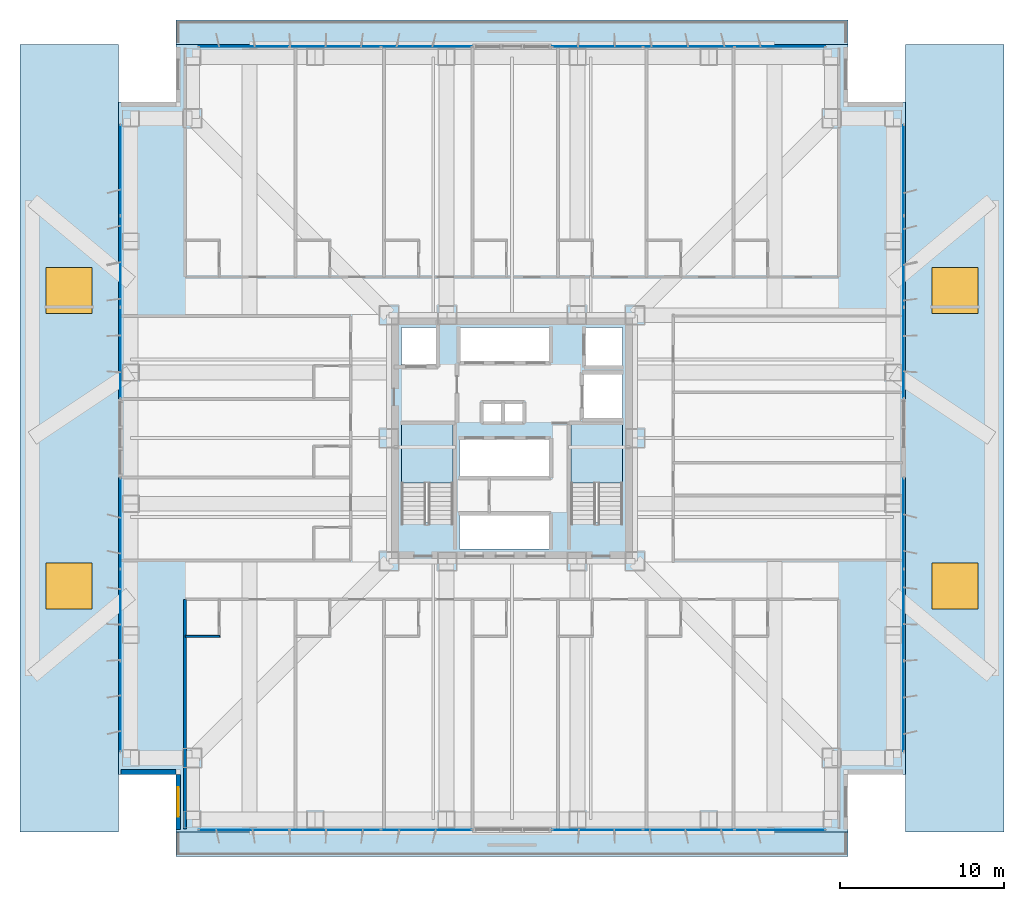
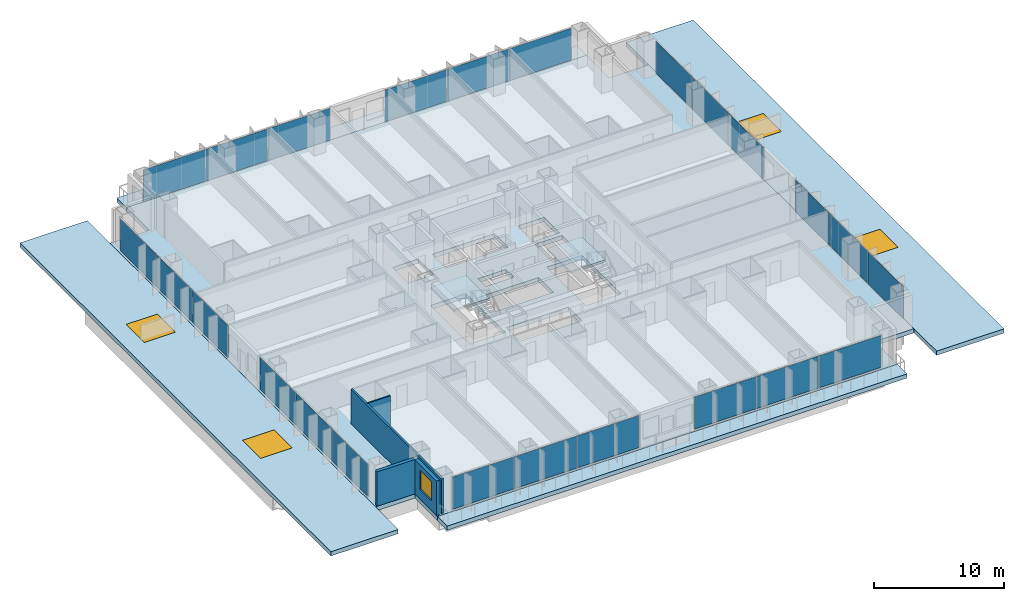
# One storey, part 14 of 24: 24 plates, 7 slabs, 5 windows, 4 walls, 5 openings, 10 elements without a shape of their own.
"""IFC4 building model written with IfcOpenShell, lengths in metres."""

from ifc_helpers import new_model, si_unit, direction, frame, frame_2d, origin, origin_2d, place, context, subcontext, project, spatial, polyline, rectangle, outline, extrude, material, layer, layer_set, type_object, element, fill, aggregate, save


model = new_model("IFC4")

# Units and contexts
model_context = context("Model", 3, precision=1e-05, world=origin(), true_north=direction((0.0, 1.0)))
body_context = subcontext(model_context, "Body", "Model", "MODEL_VIEW")
ifc_project = project(units=[si_unit("LENGTHUNIT", "METRE"), si_unit("AREAUNIT", "SQUARE_METRE"), si_unit("VOLUMEUNIT", "CUBIC_METRE"), si_unit("PLANEANGLEUNIT", "RADIAN"), si_unit("MASSUNIT", "GRAM", prefix="KILO")], contexts=[model_context])

# Site, building, storey
site_placement = place(None, origin())
site = spatial("IfcSite", under=ifc_project, at=site_placement, CompositionType="ELEMENT")
building_placement = place(site_placement, origin())
building = spatial("IfcBuilding", under=site, at=building_placement, Name="Trevonay Congress Spire", CompositionType="ELEMENT")
storey_placement = place(building_placement, frame((0.0, 0.0, 27.0)))
storey = spatial("IfcBuildingStorey", under=building, at=storey_placement, Name="L05", CompositionType="ELEMENT", Elevation=27.0)

# Curtain wall, plates
ifc_material_1 = material(Name="Pale Anodised Aluminium EN AW-6063-T6", Category="aluminium")
ifc_layer_1 = layer(ifc_material_1, 0.179931640625, Name="Pale Anodised Aluminium EN AW-6063-T6")
ifc_layer_set_1 = layer_set([ifc_layer_1], Name="Pale Anodised Aluminium EN AW-6063-T6")
curtain_wall_type = type_object("IfcCurtainWallType", Name="CW-SYS02-HOTEL-PALE-METAL", PredefinedType="NOTDEFINED", material=ifc_layer_set_1)
curtain_wall_1_placement = place(storey_placement, origin())
curtain_wall_1 = element("IfcCurtainWall", 1, at=curtain_wall_1_placement, inside=storey, type_object=curtain_wall_type, Name="L05 SA unitised curtain wall", PredefinedType="NOTDEFINED")
ifc_material_2 = material(Name="Insulated Low-E Vision Glass IGU", Category="glass")
ifc_layer_2 = layer(ifc_material_2, 0.035888671875, Name="Insulated Low-E Vision Glass IGU")
ifc_layer_set_2 = layer_set([ifc_layer_2], Name="Insulated Low-E Vision Glass IGU")
plate_type = type_object("IfcPlateType", Name="CW-PANEL-IGU36-SILVER", PredefinedType="CURTAIN_PANEL", material=ifc_layer_set_2)
plate_1_placement = place(storey_placement, frame((-16.34326171875, -23.8798828125, 0.1201171875), z_axis=(0.0, 0.0, 1.0), x_axis=(1.0, 0.0, 0.0)))
plate_1 = element("IfcPlate", 2, at=plate_1_placement, type_object=plate_type, Name="CW02 panel 1.1", PredefinedType="CURTAIN_PANEL", context=body_context, shape_type="SweptSolid", body=[
    extrude(rectangle(XDim=5.493408203125, YDim=0.035888671875, at=origin_2d()), origin(), (0.0, 0.0, 1.0), 3.010009765625),
])
plate_2_placement = place(storey_placement, frame((-10.77490234375, -23.8798828125, 0.1201171875), z_axis=(0.0, 0.0, 1.0), x_axis=(1.0, 0.0, 0.0)))
plate_2 = element("IfcPlate", 3, at=plate_2_placement, type_object=plate_type, Name="CW02 panel 2.1", PredefinedType="CURTAIN_PANEL", context=body_context, shape_type="SweptSolid", body=[
    extrude(rectangle(XDim=5.5234375, YDim=0.035888671875, at=origin_2d()), origin(), (0.0, 0.0, 1.0), 3.010009765625),
])
plate_3_placement = place(storey_placement, frame((-5.206787109375, -23.8798828125, 0.1201171875), z_axis=(0.0, 0.0, 1.0), x_axis=(1.0, 0.0, 0.0)))
plate_3 = element("IfcPlate", 4, at=plate_3_placement, type_object=plate_type, Name="CW02 panel 3.1", PredefinedType="CURTAIN_PANEL", context=body_context, shape_type="SweptSolid", body=[
    extrude(rectangle(XDim=5.493408203125, YDim=0.035888671875, at=origin_2d()), origin(), (0.0, 0.0, 1.0), 3.010009765625),
])
aggregate(curtain_wall_1, [plate_1, plate_2, plate_3])

curtain_wall_2_placement = place(storey_placement, origin())
curtain_wall_2 = element("IfcCurtainWall", 5, at=curtain_wall_2_placement, inside=storey, type_object=curtain_wall_type, Name="L05 SB unitised curtain wall", PredefinedType="NOTDEFINED")
plate_4_placement = place(storey_placement, frame((5.206787109375, -23.8798828125, 0.1201171875), z_axis=(0.0, 0.0, 1.0), x_axis=(1.0, 0.0, 0.0)))
plate_4 = element("IfcPlate", 6, at=plate_4_placement, type_object=plate_type, Name="CW02 panel 1.1", PredefinedType="CURTAIN_PANEL", context=body_context, shape_type="SweptSolid", body=[
    extrude(rectangle(XDim=5.493408203125, YDim=0.035888671875, at=origin_2d()), origin(), (0.0, 0.0, 1.0), 3.010009765625),
])
plate_5_placement = place(storey_placement, frame((10.77490234375, -23.8798828125, 0.1201171875), z_axis=(0.0, 0.0, 1.0), x_axis=(1.0, 0.0, 0.0)))
plate_5 = element("IfcPlate", 7, at=plate_5_placement, type_object=plate_type, Name="CW02 panel 2.1", PredefinedType="CURTAIN_PANEL", context=body_context, shape_type="SweptSolid", body=[
    extrude(rectangle(XDim=5.5234375, YDim=0.035888671875, at=origin_2d()), origin(), (0.0, 0.0, 1.0), 3.010009765625),
])
plate_6_placement = place(storey_placement, frame((16.34326171875, -23.8798828125, 0.1201171875), z_axis=(0.0, 0.0, 1.0), x_axis=(1.0, 0.0, 0.0)))
plate_6 = element("IfcPlate", 8, at=plate_6_placement, type_object=plate_type, Name="CW02 panel 3.1", PredefinedType="CURTAIN_PANEL", context=body_context, shape_type="SweptSolid", body=[
    extrude(rectangle(XDim=5.493408203125, YDim=0.035888671875, at=origin_2d()), origin(), (0.0, 0.0, 1.0), 3.010009765625),
])
aggregate(curtain_wall_2, [plate_4, plate_5, plate_6])

curtain_wall_3_placement = place(storey_placement, origin())
curtain_wall_3 = element("IfcCurtainWall", 9, at=curtain_wall_3_placement, inside=storey, type_object=curtain_wall_type, Name="L05 NA unitised curtain wall", PredefinedType="NOTDEFINED")
plate_7_placement = place(storey_placement, frame((-16.34326171875, 23.8798828125, 0.1201171875), z_axis=(0.0, 0.0, 1.0), x_axis=(1.0, 0.0, 0.0)))
plate_7 = element("IfcPlate", 10, at=plate_7_placement, type_object=plate_type, Name="CW02 panel 1.1", PredefinedType="CURTAIN_PANEL", context=body_context, shape_type="SweptSolid", body=[
    extrude(rectangle(XDim=5.493408203125, YDim=0.035888671875, at=origin_2d()), origin(), (0.0, 0.0, 1.0), 3.010009765625),
])
plate_8_placement = place(storey_placement, frame((-10.77490234375, 23.8798828125, 0.1201171875), z_axis=(0.0, 0.0, 1.0), x_axis=(1.0, 0.0, 0.0)))
plate_8 = element("IfcPlate", 11, at=plate_8_placement, type_object=plate_type, Name="CW02 panel 2.1", PredefinedType="CURTAIN_PANEL", context=body_context, shape_type="SweptSolid", body=[
    extrude(rectangle(XDim=5.5234375, YDim=0.035888671875, at=origin_2d()), origin(), (0.0, 0.0, 1.0), 3.010009765625),
])
plate_9_placement = place(storey_placement, frame((-5.206787109375, 23.8798828125, 0.1201171875), z_axis=(0.0, 0.0, 1.0), x_axis=(1.0, 0.0, 0.0)))
plate_9 = element("IfcPlate", 12, at=plate_9_placement, type_object=plate_type, Name="CW02 panel 3.1", PredefinedType="CURTAIN_PANEL", context=body_context, shape_type="SweptSolid", body=[
    extrude(rectangle(XDim=5.493408203125, YDim=0.035888671875, at=origin_2d()), origin(), (0.0, 0.0, 1.0), 3.010009765625),
])
aggregate(curtain_wall_3, [plate_7, plate_8, plate_9])

curtain_wall_4_placement = place(storey_placement, origin())
curtain_wall_4 = element("IfcCurtainWall", 13, at=curtain_wall_4_placement, inside=storey, type_object=curtain_wall_type, Name="L05 NB unitised curtain wall", PredefinedType="NOTDEFINED")
plate_10_placement = place(storey_placement, frame((5.206787109375, 23.8798828125, 0.1201171875), z_axis=(0.0, 0.0, 1.0), x_axis=(1.0, 0.0, 0.0)))
plate_10 = element("IfcPlate", 14, at=plate_10_placement, type_object=plate_type, Name="CW02 panel 1.1", PredefinedType="CURTAIN_PANEL", context=body_context, shape_type="SweptSolid", body=[
    extrude(rectangle(XDim=5.493408203125, YDim=0.035888671875, at=origin_2d()), origin(), (0.0, 0.0, 1.0), 3.010009765625),
])
plate_11_placement = place(storey_placement, frame((10.77490234375, 23.8798828125, 0.1201171875), z_axis=(0.0, 0.0, 1.0), x_axis=(1.0, 0.0, 0.0)))
plate_11 = element("IfcPlate", 15, at=plate_11_placement, type_object=plate_type, Name="CW02 panel 2.1", PredefinedType="CURTAIN_PANEL", context=body_context, shape_type="SweptSolid", body=[
    extrude(rectangle(XDim=5.5234375, YDim=0.035888671875, at=origin_2d()), origin(), (0.0, 0.0, 1.0), 3.010009765625),
])
plate_12_placement = place(storey_placement, frame((16.34326171875, 23.8798828125, 0.1201171875), z_axis=(0.0, 0.0, 1.0), x_axis=(1.0, 0.0, 0.0)))
plate_12 = element("IfcPlate", 16, at=plate_12_placement, type_object=plate_type, Name="CW02 panel 3.1", PredefinedType="CURTAIN_PANEL", context=body_context, shape_type="SweptSolid", body=[
    extrude(rectangle(XDim=5.493408203125, YDim=0.035888671875, at=origin_2d()), origin(), (0.0, 0.0, 1.0), 3.010009765625),
])
aggregate(curtain_wall_4, [plate_10, plate_11, plate_12])

curtain_wall_5_placement = place(storey_placement, origin())
curtain_wall_5 = element("IfcCurtainWall", 17, at=curtain_wall_5_placement, inside=storey, type_object=curtain_wall_type, Name="L05 WA unitised curtain wall", PredefinedType="NOTDEFINED")
plate_13_placement = place(storey_placement, frame((-23.8798828125, -16.34326171875, 0.1201171875), z_axis=(0.0, 0.0, 1.0), x_axis=(0.0, 1.0, 0.0)))
plate_13 = element("IfcPlate", 18, at=plate_13_placement, type_object=plate_type, Name="CW02 panel 1.1", PredefinedType="CURTAIN_PANEL", context=body_context, shape_type="SweptSolid", body=[
    extrude(rectangle(XDim=5.493408203125, YDim=0.035888671875, at=origin_2d()), origin(), (0.0, 0.0, 1.0), 3.010009765625),
])
plate_14_placement = place(storey_placement, frame((-23.8798828125, -10.77490234375, 0.1201171875), z_axis=(0.0, 0.0, 1.0), x_axis=(0.0, 1.0, 0.0)))
plate_14 = element("IfcPlate", 19, at=plate_14_placement, type_object=plate_type, Name="CW02 panel 2.1", PredefinedType="CURTAIN_PANEL", context=body_context, shape_type="SweptSolid", body=[
    extrude(rectangle(XDim=5.5234375, YDim=0.035888671875, at=origin_2d()), origin(), (0.0, 0.0, 1.0), 3.010009765625),
])
plate_15_placement = place(storey_placement, frame((-23.8798828125, -5.206787109375, 0.1201171875), z_axis=(0.0, 0.0, 1.0), x_axis=(0.0, 1.0, 0.0)))
plate_15 = element("IfcPlate", 20, at=plate_15_placement, type_object=plate_type, Name="CW02 panel 3.1", PredefinedType="CURTAIN_PANEL", context=body_context, shape_type="SweptSolid", body=[
    extrude(rectangle(XDim=5.493408203125, YDim=0.035888671875, at=origin_2d()), origin(), (0.0, 0.0, 1.0), 3.010009765625),
])
aggregate(curtain_wall_5, [plate_13, plate_14, plate_15])

curtain_wall_6_placement = place(storey_placement, origin())
curtain_wall_6 = element("IfcCurtainWall", 21, at=curtain_wall_6_placement, inside=storey, type_object=curtain_wall_type, Name="L05 WB unitised curtain wall", PredefinedType="NOTDEFINED")
plate_16_placement = place(storey_placement, frame((-23.8798828125, 5.206787109375, 0.1201171875), z_axis=(0.0, 0.0, 1.0), x_axis=(0.0, 1.0, 0.0)))
plate_16 = element("IfcPlate", 22, at=plate_16_placement, type_object=plate_type, Name="CW02 panel 1.1", PredefinedType="CURTAIN_PANEL", context=body_context, shape_type="SweptSolid", body=[
    extrude(rectangle(XDim=5.493408203125, YDim=0.035888671875, at=origin_2d()), origin(), (0.0, 0.0, 1.0), 3.010009765625),
])
plate_17_placement = place(storey_placement, frame((-23.8798828125, 10.77490234375, 0.1201171875), z_axis=(0.0, 0.0, 1.0), x_axis=(0.0, 1.0, 0.0)))
plate_17 = element("IfcPlate", 23, at=plate_17_placement, type_object=plate_type, Name="CW02 panel 2.1", PredefinedType="CURTAIN_PANEL", context=body_context, shape_type="SweptSolid", body=[
    extrude(rectangle(XDim=5.5234375, YDim=0.035888671875, at=origin_2d()), origin(), (0.0, 0.0, 1.0), 3.010009765625),
])
plate_18_placement = place(storey_placement, frame((-23.8798828125, 16.34326171875, 0.1201171875), z_axis=(0.0, 0.0, 1.0), x_axis=(0.0, 1.0, 0.0)))
plate_18 = element("IfcPlate", 24, at=plate_18_placement, type_object=plate_type, Name="CW02 panel 3.1", PredefinedType="CURTAIN_PANEL", context=body_context, shape_type="SweptSolid", body=[
    extrude(rectangle(XDim=5.493408203125, YDim=0.035888671875, at=origin_2d()), origin(), (0.0, 0.0, 1.0), 3.010009765625),
])
aggregate(curtain_wall_6, [plate_16, plate_17, plate_18])

curtain_wall_7_placement = place(storey_placement, origin())
curtain_wall_7 = element("IfcCurtainWall", 25, at=curtain_wall_7_placement, inside=storey, type_object=curtain_wall_type, Name="L05 EA unitised curtain wall", PredefinedType="NOTDEFINED")
plate_19_placement = place(storey_placement, frame((23.8798828125, -16.34326171875, 0.1201171875), z_axis=(0.0, 0.0, 1.0), x_axis=(0.0, 1.0, 0.0)))
plate_19 = element("IfcPlate", 26, at=plate_19_placement, type_object=plate_type, Name="CW02 panel 1.1", PredefinedType="CURTAIN_PANEL", context=body_context, shape_type="SweptSolid", body=[
    extrude(rectangle(XDim=5.493408203125, YDim=0.035888671875, at=origin_2d()), origin(), (0.0, 0.0, 1.0), 3.010009765625),
])
plate_20_placement = place(storey_placement, frame((23.8798828125, -10.77490234375, 0.1201171875), z_axis=(0.0, 0.0, 1.0), x_axis=(0.0, 1.0, 0.0)))
plate_20 = element("IfcPlate", 27, at=plate_20_placement, type_object=plate_type, Name="CW02 panel 2.1", PredefinedType="CURTAIN_PANEL", context=body_context, shape_type="SweptSolid", body=[
    extrude(rectangle(XDim=5.5234375, YDim=0.035888671875, at=origin_2d()), origin(), (0.0, 0.0, 1.0), 3.010009765625),
])
plate_21_placement = place(storey_placement, frame((23.8798828125, -5.206787109375, 0.1201171875), z_axis=(0.0, 0.0, 1.0), x_axis=(0.0, 1.0, 0.0)))
plate_21 = element("IfcPlate", 28, at=plate_21_placement, type_object=plate_type, Name="CW02 panel 3.1", PredefinedType="CURTAIN_PANEL", context=body_context, shape_type="SweptSolid", body=[
    extrude(rectangle(XDim=5.493408203125, YDim=0.035888671875, at=origin_2d()), origin(), (0.0, 0.0, 1.0), 3.010009765625),
])
aggregate(curtain_wall_7, [plate_19, plate_20, plate_21])

curtain_wall_8_placement = place(storey_placement, origin())
curtain_wall_8 = element("IfcCurtainWall", 29, at=curtain_wall_8_placement, inside=storey, type_object=curtain_wall_type, Name="L05 EB unitised curtain wall", PredefinedType="NOTDEFINED")
plate_22_placement = place(storey_placement, frame((23.8798828125, 5.206787109375, 0.1201171875), z_axis=(0.0, 0.0, 1.0), x_axis=(0.0, 1.0, 0.0)))
plate_22 = element("IfcPlate", 30, at=plate_22_placement, type_object=plate_type, Name="CW02 panel 1.1", PredefinedType="CURTAIN_PANEL", context=body_context, shape_type="SweptSolid", body=[
    extrude(rectangle(XDim=5.493408203125, YDim=0.035888671875, at=origin_2d()), origin(), (0.0, 0.0, 1.0), 3.010009765625),
])
plate_23_placement = place(storey_placement, frame((23.8798828125, 10.77490234375, 0.1201171875), z_axis=(0.0, 0.0, 1.0), x_axis=(0.0, 1.0, 0.0)))
plate_23 = element("IfcPlate", 31, at=plate_23_placement, type_object=plate_type, Name="CW02 panel 2.1", PredefinedType="CURTAIN_PANEL", context=body_context, shape_type="SweptSolid", body=[
    extrude(rectangle(XDim=5.5234375, YDim=0.035888671875, at=origin_2d()), origin(), (0.0, 0.0, 1.0), 3.010009765625),
])
plate_24_placement = place(storey_placement, frame((23.8798828125, 16.34326171875, 0.1201171875), z_axis=(0.0, 0.0, 1.0), x_axis=(0.0, 1.0, 0.0)))
plate_24 = element("IfcPlate", 32, at=plate_24_placement, type_object=plate_type, Name="CW02 panel 3.1", PredefinedType="CURTAIN_PANEL", context=body_context, shape_type="SweptSolid", body=[
    extrude(rectangle(XDim=5.493408203125, YDim=0.035888671875, at=origin_2d()), origin(), (0.0, 0.0, 1.0), 3.010009765625),
])
aggregate(curtain_wall_8, [plate_22, plate_23, plate_24])

# Stair, slab
ifc_material_3 = material(Name="Concrete C40/50", Category="concrete")
stair_type_1 = type_object("IfcStairType", Name="STR-ST-1", PredefinedType="HALF_TURN_STAIR", material=ifc_material_3)
stair_1_placement = place(storey_placement, origin())
stair_1 = element("IfcStair", 33, at=stair_1_placement, inside=storey, type_object=stair_type_1, Name="L05 Protected Exit Stair ST-1", PredefinedType="HALF_TURN_STAIR")
ifc_layer_3 = layer(ifc_material_3, 0.199951171875, Name="Concrete C40/50")
ifc_layer_set_3 = layer_set([ifc_layer_3], Name="Concrete C40/50")
slab_type_1 = type_object("IfcSlabType", Name="SLB-STAIR-LAND-200", PredefinedType="LANDING", material=ifc_layer_set_3)
slab_1_placement = place(storey_placement, frame((0.0, 0.0, 1.550048828125)))
slab_1 = element("IfcSlab", 34, at=slab_1_placement, type_object=slab_type_1, Name="ST-1 landing 1", PredefinedType="LANDING", context=body_context, shape_type="SweptSolid", body=[
    extrude(outline(polyline([(-3.60009765625, -2.72998046875), (-3.60009765625, 0.85009765625), (-6.75, 0.85009765625), (-6.75, -2.72998046875), (-3.60009765625, -2.72998046875)])), origin(), (0.0, 0.0, 1.0), 0.199951171875),
])
aggregate(stair_1, [slab_1])

stair_type_2 = type_object("IfcStairType", Name="STR-ST-2", PredefinedType="HALF_TURN_STAIR", material=ifc_material_3)
stair_2_placement = place(storey_placement, origin())
stair_2 = element("IfcStair", 35, at=stair_2_placement, inside=storey, type_object=stair_type_2, Name="L05 Protected Exit Stair ST-2", PredefinedType="HALF_TURN_STAIR")
slab_2_placement = place(storey_placement, frame((0.0, 0.0, 1.550048828125)))
slab_2 = element("IfcSlab", 36, at=slab_2_placement, type_object=slab_type_1, Name="ST-2 landing 1", PredefinedType="LANDING", context=body_context, shape_type="SweptSolid", body=[
    extrude(outline(polyline([(6.75, -2.72998046875), (6.75, 0.85009765625), (3.60009765625, 0.85009765625), (3.60009765625, -2.72998046875), (6.75, -2.72998046875)])), origin(), (0.0, 0.0, 1.0), 0.199951171875),
])
aggregate(stair_2, [slab_2])

# Slab, openings, windows
ifc_layer_4 = layer(ifc_material_3, 0.39990234375, Name="Concrete C40/50")
ifc_layer_set_4 = layer_set([ifc_layer_4], Name="Concrete C40/50")
slab_type_2 = type_object("IfcSlabType", Name="SLB-TERR-260", PredefinedType="ROOF", material=ifc_layer_set_4)
slab_3_placement = place(storey_placement, frame((0.0, 0.0, -0.39990234375)))
slab_3 = element("IfcSlab", 37, at=slab_3_placement, inside=storey, type_object=slab_type_2, Name="L05 podium roof garden terrace W", PredefinedType="ROOF", context=body_context, shape_type="SweptSolid", body=[
    extrude(outline(polyline([(-30.0, -24.0), (-24.0, -24.0), (-24.0, 24.0), (-30.0, 24.0), (-30.0, -24.0)])), origin(), (0.0, 0.0, 1.0), 0.39990234375),
])
opening_1_placement = place(slab_3_placement, frame((-27.0, -9.0, -0.010009765625)))
opening_1 = element("IfcOpeningElement", 38, at=opening_1_placement, cuts=slab_3, Name="Opening SK01", PredefinedType="OPENING", context=body_context, shape_type="SweptSolid", body=[
    extrude(rectangle(XDim=2.800048828125, YDim=2.800048828125, at=origin_2d()), origin(), (0.0, 0.0, 1.0), 0.419921875),
])
opening_2_placement = place(slab_3_placement, frame((-27.0, 9.0, -0.010009765625)))
opening_2 = element("IfcOpeningElement", 39, at=opening_2_placement, cuts=slab_3, Name="Opening SK01", PredefinedType="OPENING", context=body_context, shape_type="SweptSolid", body=[
    extrude(rectangle(XDim=2.800048828125, YDim=2.800048828125, at=origin_2d()), origin(), (0.0, 0.0, 1.0), 0.419921875),
])
window_type_1 = type_object("IfcWindowType", Name="SKY-PODIUM-280X280", PartitioningType="SINGLE_PANEL", PredefinedType="SKYLIGHT", material=ifc_material_2)
window_1_placement = place(opening_1_placement, frame((0.0, 0.0, 0.35986328125)))
window_1 = element("IfcWindow", 40, at=window_1_placement, inside=storey, type_object=window_type_1, Name="Podium roof terrace daylight skylight 1", OverallHeight=2.800048828125, OverallWidth=2.800048828125, PartitioningType="SINGLE_PANEL", PredefinedType="SKYLIGHT", context=body_context, shape_type="SweptSolid", body=[
    extrude(rectangle(XDim=2.800048828125, YDim=2.800048828125, at=origin_2d()), origin(), (0.0, 0.0, 1.0), 0.050048828125),
])
fill(opening_1, window_1)
window_2_placement = place(opening_2_placement, frame((0.0, 0.0, 0.35986328125)))
window_2 = element("IfcWindow", 41, at=window_2_placement, inside=storey, type_object=window_type_1, Name="Podium roof terrace daylight skylight 2", OverallHeight=2.800048828125, OverallWidth=2.800048828125, PartitioningType="SINGLE_PANEL", PredefinedType="SKYLIGHT", context=body_context, shape_type="SweptSolid", body=[
    extrude(rectangle(XDim=2.800048828125, YDim=2.800048828125, at=origin_2d()), origin(), (0.0, 0.0, 1.0), 0.050048828125),
])
fill(opening_2, window_2)

slab_4_placement = place(storey_placement, frame((0.0, 0.0, -0.39990234375)))
slab_4 = element("IfcSlab", 42, at=slab_4_placement, inside=storey, type_object=slab_type_2, Name="L05 podium roof garden terrace E", PredefinedType="ROOF", context=body_context, shape_type="SweptSolid", body=[
    extrude(outline(polyline([(24.0, -24.0), (30.0, -24.0), (30.0, 24.0), (24.0, 24.0), (24.0, -24.0)])), origin(), (0.0, 0.0, 1.0), 0.39990234375),
])
opening_3_placement = place(slab_4_placement, frame((27.0, -9.0, -0.010009765625)))
opening_3 = element("IfcOpeningElement", 43, at=opening_3_placement, cuts=slab_4, Name="Opening SK01", PredefinedType="OPENING", context=body_context, shape_type="SweptSolid", body=[
    extrude(rectangle(XDim=2.800048828125, YDim=2.800048828125, at=origin_2d()), origin(), (0.0, 0.0, 1.0), 0.419921875),
])
opening_4_placement = place(slab_4_placement, frame((27.0, 9.0, -0.010009765625)))
opening_4 = element("IfcOpeningElement", 44, at=opening_4_placement, cuts=slab_4, Name="Opening SK01", PredefinedType="OPENING", context=body_context, shape_type="SweptSolid", body=[
    extrude(rectangle(XDim=2.800048828125, YDim=2.800048828125, at=origin_2d()), origin(), (0.0, 0.0, 1.0), 0.419921875),
])
window_3_placement = place(opening_3_placement, frame((0.0, 0.0, 0.35986328125)))
window_3 = element("IfcWindow", 45, at=window_3_placement, inside=storey, type_object=window_type_1, Name="Podium roof terrace daylight skylight 3", OverallHeight=2.800048828125, OverallWidth=2.800048828125, PartitioningType="SINGLE_PANEL", PredefinedType="SKYLIGHT", context=body_context, shape_type="SweptSolid", body=[
    extrude(rectangle(XDim=2.800048828125, YDim=2.800048828125, at=origin_2d()), origin(), (0.0, 0.0, 1.0), 0.050048828125),
])
fill(opening_3, window_3)
window_4_placement = place(opening_4_placement, frame((0.0, 0.0, 0.35986328125)))
window_4 = element("IfcWindow", 46, at=window_4_placement, inside=storey, type_object=window_type_1, Name="Podium roof terrace daylight skylight 4", OverallHeight=2.800048828125, OverallWidth=2.800048828125, PartitioningType="SINGLE_PANEL", PredefinedType="SKYLIGHT", context=body_context, shape_type="SweptSolid", body=[
    extrude(rectangle(XDim=2.800048828125, YDim=2.800048828125, at=origin_2d()), origin(), (0.0, 0.0, 1.0), 0.050048828125),
])
fill(opening_4, window_4)

# Slabs
slab_5_placement = place(storey_placement, frame((0.0, 0.0, -0.39990234375)))
element("IfcSlab", 47, at=slab_5_placement, inside=storey, type_object=slab_type_2, Name="L05 podium roof garden terrace S", PredefinedType="ROOF", context=body_context, shape_type="SweptSolid", body=[
    extrude(outline(polyline([(-20.5, -25.5), (20.5, -25.5), (20.5, -24.0), (-20.5, -24.0), (-20.5, -25.5)])), origin(), (0.0, 0.0, 1.0), 0.39990234375),
])
slab_6_placement = place(storey_placement, frame((0.0, 0.0, -0.39990234375)))
element("IfcSlab", 48, at=slab_6_placement, inside=storey, type_object=slab_type_2, Name="L05 podium roof garden terrace N", PredefinedType="ROOF", context=body_context, shape_type="SweptSolid", body=[
    extrude(outline(polyline([(-20.5, 24.0), (20.5, 24.0), (20.5, 25.5), (-20.5, 25.5), (-20.5, 24.0)])), origin(), (0.0, 0.0, 1.0), 0.39990234375),
])
ifc_layer_5 = layer(ifc_material_3, 0.39990234375, Name="Concrete C40/50")
ifc_layer_set_5 = layer_set([ifc_layer_5], Name="Concrete C40/50")
slab_type_3 = type_object("IfcSlabType", Name="SLB-XFER-400", PredefinedType="FLOOR", material=ifc_layer_set_5)
slab_7_placement = place(storey_placement, frame((0.0, 0.0, -0.39990234375)))
element("IfcSlab", 49, at=slab_7_placement, inside=storey, type_object=slab_type_3, Name="L05 structural floor slab", PredefinedType="FLOOR", context=body_context, shape_type="SweptSolid", body=[
    extrude(outline(polyline([(-20.5, -24.0), (20.5, -24.0), (20.5, -20.5), (24.0, -20.5), (24.0, 20.5), (20.5, 20.5), (20.5, 24.0), (-20.5, 24.0), (-20.5, 20.5), (-24.0, 20.5), (-24.0, -20.5), (-20.5, -20.5), (-20.5, -24.0)]), holes=[polyline([(-3.60009765625, -5.14990234375), (-3.60009765625, 0.85009765625), (-6.75, 0.85009765625), (-6.75, -5.14990234375), (-3.60009765625, -5.14990234375)]), polyline([(6.75, -5.14990234375), (6.75, 0.85009765625), (3.60009765625, 0.85009765625), (3.60009765625, -5.14990234375), (6.75, -5.14990234375)]), polyline([(-3.199951171875, -6.75), (2.340087890625, -6.75), (2.340087890625, -4.64990234375), (-3.199951171875, -4.64990234375), (-3.199951171875, -6.75)]), polyline([(-3.199951171875, -2.35009765625), (2.340087890625, -2.35009765625), (2.340087890625, -0.050048828125), (-3.199951171875, -0.050048828125), (-3.199951171875, -2.35009765625)]), polyline([(-3.199951171875, 4.64990234375), (2.340087890625, 4.64990234375), (2.340087890625, 6.75), (-3.199951171875, 6.75), (-3.199951171875, 4.64990234375)]), polyline([(-6.75, 4.35009765625), (-4.449951171875, 4.35009765625), (-4.449951171875, 6.75), (-6.75, 6.75), (-6.75, 4.35009765625)]), polyline([(4.449951171875, 4.35009765625), (6.75, 4.35009765625), (6.75, 6.75), (4.449951171875, 6.75), (4.449951171875, 4.35009765625)]), polyline([(4.35009765625, 1.199951171875), (6.75, 1.199951171875), (6.75, 3.949951171875), (4.35009765625, 3.949951171875), (4.35009765625, 1.199951171875)]), polyline([(-1.800048828125, 0.949951171875), (0.699951171875, 0.949951171875), (0.699951171875, 2.14990234375), (-1.800048828125, 2.14990234375), (-1.800048828125, 0.949951171875)])]), origin(), (0.0, 0.0, 1.0), 0.39990234375),
])

# Wall
ifc_layer_6 = layer(ifc_material_3, 0.1201171875, Name="Concrete C40/50")
ifc_layer_set_6 = layer_set([ifc_layer_6], Name="Concrete C40/50")
wall_type_1 = type_object("IfcWallType", Name="WAL-BATH-120", PredefinedType="PLUMBINGWALL", material=ifc_layer_set_6)
wall_1_placement = place(storey_placement, frame((-19.919921875, -12.080078125, 0.0), z_axis=(0.0, 0.0, 1.0), x_axis=(1.0, 0.0, 0.0)))
element("IfcWall", 50, at=wall_1_placement, inside=storey, type_object=wall_type_1, Name="L05 interior wall WH-L05S-BF1", PredefinedType="PLUMBINGWALL", context=body_context, shape_type="SweptSolid", body=[
    extrude(rectangle(XDim=2.099853515625, YDim=0.1201171875, at=frame_2d((1.0498046875, 0.0))), origin(), (0.0, 0.0, 1.0), 3.25),
])

# Wall, opening, window
ifc_material_4 = material(Name="Precast concrete C40/50", Category="concrete")
ifc_layer_7 = layer(ifc_material_4, 0.300048828125, Name="Precast concrete C40/50")
ifc_layer_set_7 = layer_set([ifc_layer_7], Name="Precast concrete C40/50")
wall_type_2 = type_object("IfcWallType", Name="WAL-EXT-PRECAST-300", PredefinedType="SOLIDWALL", material=ifc_layer_set_7)
wall_2_placement = place(storey_placement, frame((-20.35009765625, -23.85009765625, 0.0), z_axis=(0.0, 0.0, 1.0), x_axis=(0.0, 1.0, 0.0)))
wall_2 = element("IfcWall", 51, at=wall_2_placement, inside=storey, type_object=wall_type_2, Name="L05 SW re-entrant notch exterior wall 1", PredefinedType="SOLIDWALL", context=body_context, shape_type="SweptSolid", body=[
    extrude(rectangle(XDim=3.35009765625, YDim=0.300048828125, at=frame_2d((1.675048828125, 0.0))), origin(), (0.0, 0.0, 1.0), 3.25),
])
opening_5_placement = place(wall_2_placement, frame((0.77490234375, 0.0, 0.89990234375)))
opening_5 = element("IfcOpeningElement", 52, at=opening_5_placement, cuts=wall_2, Name="Opening WN01", PredefinedType="OPENING", context=body_context, shape_type="SweptSolid", body=[
    extrude(rectangle(XDim=1.800048828125, YDim=1.800048828125, at=frame_2d((0.89990234375, 0.89990234375))), frame((0.0, 0.16015625, 0.0), z_axis=(0.0, -1.0, 0.0), x_axis=(1.0, 0.0, 0.0)), (0.0, 0.0, 1.0), 0.320068359375),
])
window_type_2 = type_object("IfcWindowType", Name="WIN-HOTEL-180X180", PartitioningType="SINGLE_PANEL", PredefinedType="WINDOW", material=ifc_material_2)
window_5_placement = place(opening_5_placement, origin())
window_5 = element("IfcWindow", 53, at=window_5_placement, inside=storey, type_object=window_type_2, Name="L05 SW corner notch window", OverallHeight=1.800048828125, OverallWidth=1.800048828125, PartitioningType="SINGLE_PANEL", PredefinedType="WINDOW", context=body_context, shape_type="SweptSolid", body=[
    extrude(rectangle(XDim=1.800048828125, YDim=1.800048828125, at=frame_2d((0.89990234375, 0.89990234375))), frame((0.0, 0.030029296875, 0.0), z_axis=(0.0, -1.0, 0.0), x_axis=(1.0, 0.0, 0.0)), (0.0, 0.0, 1.0), 0.06005859375),
])
fill(opening_5, window_5)

# Walls
wall_3_placement = place(storey_placement, frame((-23.85009765625, -20.35009765625, 0.0), z_axis=(0.0, 0.0, 1.0), x_axis=(1.0, 0.0, 0.0)))
element("IfcWall", 54, at=wall_3_placement, inside=storey, type_object=wall_type_2, Name="L05 SW re-entrant notch exterior wall 2", PredefinedType="SOLIDWALL", context=body_context, shape_type="SweptSolid", body=[
    extrude(rectangle(XDim=3.35009765625, YDim=0.300048828125, at=frame_2d((1.675048828125, 0.0))), origin(), (0.0, 0.0, 1.0), 3.25),
])
ifc_layer_8 = layer(ifc_material_3, 0.179931640625, Name="Concrete C40/50")
ifc_layer_set_8 = layer_set([ifc_layer_8], Name="Concrete C40/50")
wall_type_3 = type_object("IfcWallType", Name="WAL-HOTEL-180", PredefinedType="PARTITIONING", material=ifc_layer_set_8)
wall_4_placement = place(storey_placement, frame((-19.949951171875, -23.820068359375, 0.0), z_axis=(0.0, 0.0, 1.0), x_axis=(0.0, 1.0, 0.0)))
element("IfcWall", 55, at=wall_4_placement, inside=storey, type_object=wall_type_3, Name="L05 interior wall WH-L05S-DIV1", PredefinedType="PARTITIONING", context=body_context, shape_type="SweptSolid", body=[
    extrude(rectangle(XDim=13.989990234375, YDim=0.179931640625, at=frame_2d((6.9951171875, 0.0))), origin(), (0.0, 0.0, 1.0), 3.25),
])

save(model, "model.ifc")
